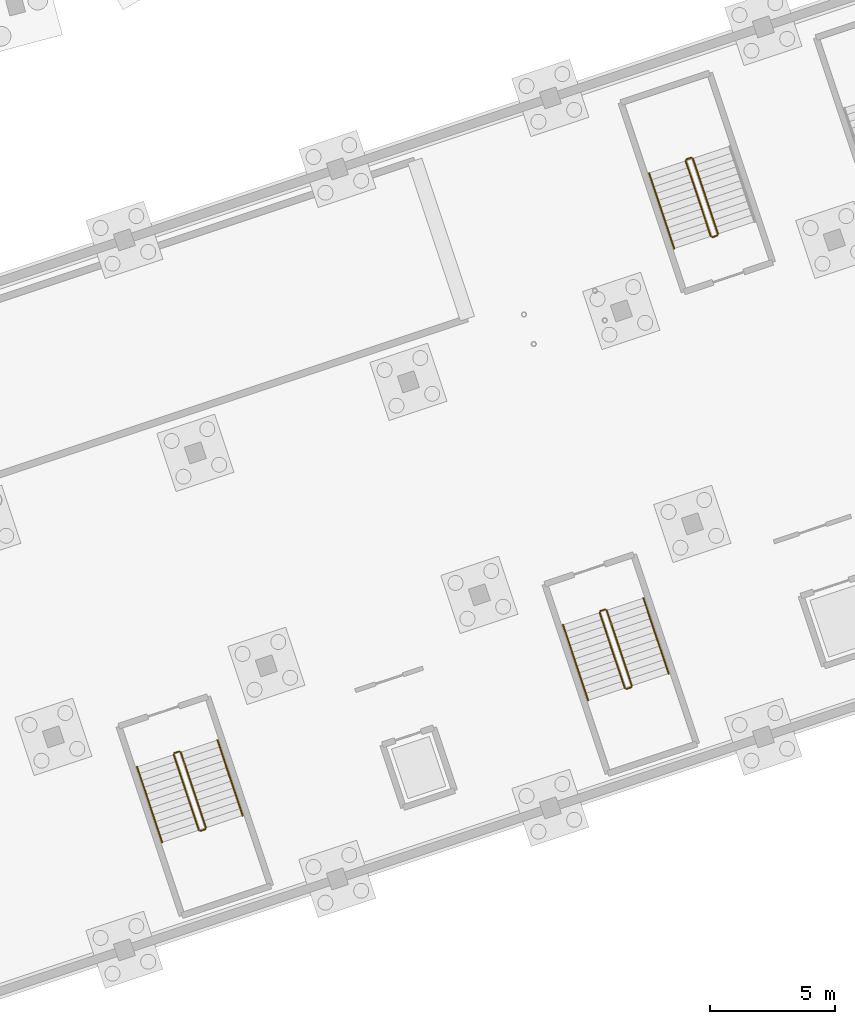
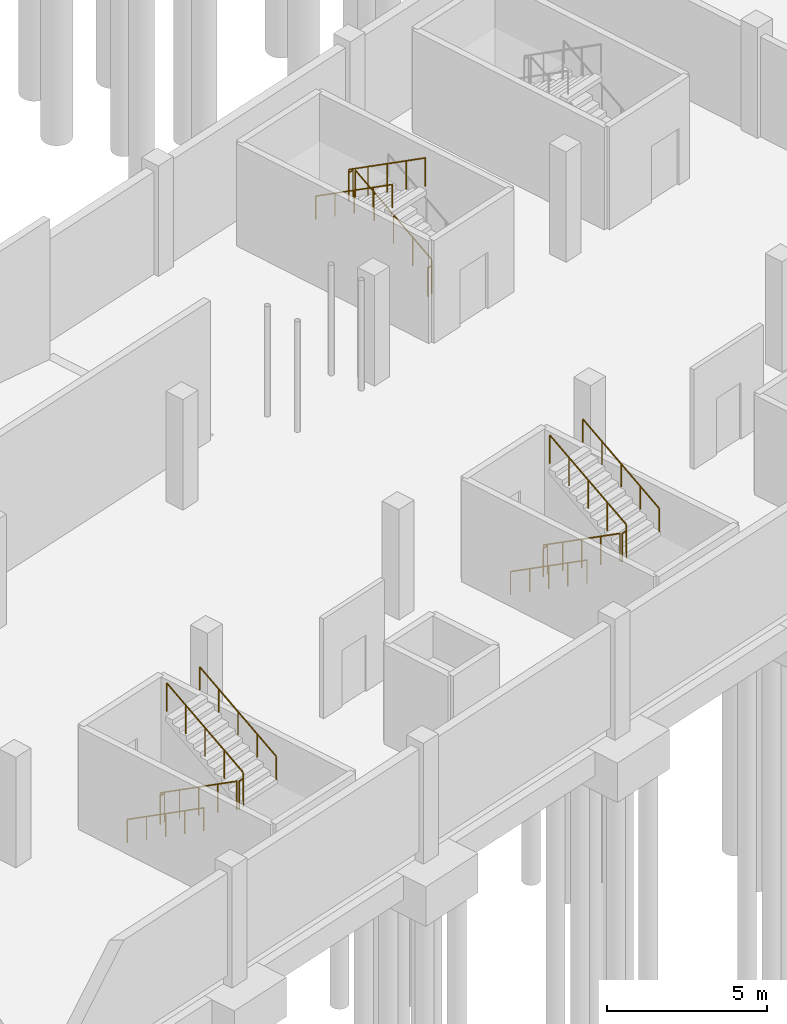
# One storey, part 29 of 36: 17 railings.
"""IFC4 building model written with IfcOpenShell, lengths in metres."""

from ifc_helpers import new_model, si_unit, derived_unit, direction, frame, origin, origin_2d, place, context, subcontext, project, spatial, circle, extrude, material, type_object, element, save


model = new_model("IFC4")

# Units and contexts
model_context = context("Model", 3, precision=1e-05, world=origin(), true_north=direction((0.0, 1.0)))
body_context = subcontext(model_context, "Body", "Model", "MODEL_VIEW")
ifc_project = project(units=[si_unit("LENGTHUNIT", "METRE"), si_unit("AREAUNIT", "SQUARE_METRE"), si_unit("VOLUMEUNIT", "CUBIC_METRE"), si_unit("PLANEANGLEUNIT", "RADIAN"), si_unit("MASSUNIT", "GRAM", prefix="KILO"), si_unit("THERMODYNAMICTEMPERATUREUNIT", "KELVIN"), si_unit("TIMEUNIT", "SECOND"), derived_unit("THERMALTRANSMITTANCEUNIT", [(si_unit("MASSUNIT", "GRAM", prefix="KILO"), 1), (si_unit("THERMODYNAMICTEMPERATUREUNIT", "KELVIN"), -1), (si_unit("TIMEUNIT", "SECOND"), -3)])], contexts=[model_context])

# Site, building, storey
site_placement = place(None, origin())
site = spatial("IfcSite", under=ifc_project, at=site_placement, CompositionType="ELEMENT")
building_placement = place(site_placement, origin())
building = spatial("IfcBuilding", under=site, at=building_placement, Name="Cambertide Market Hall", CompositionType="ELEMENT")
storey_placement = place(building_placement, frame((0.0, 0.0, -4.199951171875)))
storey = spatial("IfcBuildingStorey", under=building, at=storey_placement, Name="B1", CompositionType="ELEMENT", Elevation=-4.199951171875)

# Railings
ifc_material_1 = material(Name="Stainless Steel Grade 316", Category="metal")
railing_type_1 = type_object("IfcRailingType", Name="Stair Wall Handrail 900", PredefinedType="HANDRAIL", material=ifc_material_1)
railing_1_placement = place(storey_placement, frame((115.044189453125, 22.1826171875, 0.175048828125)))
element("IfcRailing", 1, at=railing_1_placement, inside=storey, type_object=railing_type_1, Name="Basement 1 ST-05A stair handrail 1", PredefinedType="HANDRAIL", context=body_context, shape_type="SweptSolid", body=[
    extrude(circle(Radius=0.02392578125, at=origin_2d()), frame((0.0, 0.0, 0.8759765625), z_axis=(0.270759255375, -0.812277766124, 0.516618095202), x_axis=(0.948683298051, 0.316227766017, 0.0)), (0.0, 0.0, 1.0), 3.725830078125),
    extrude(circle(Radius=0.02099609375, at=origin_2d()), origin(), (0.0, 0.0, 1.0), 0.851806640625),
    extrude(circle(Radius=0.02099609375, at=origin_2d()), frame((0.252197265625, -0.756591796875, 0.481201171875)), (0.0, 0.0, 1.0), 0.851806640625),
    extrude(circle(Radius=0.02099609375, at=origin_2d()), frame((0.50439453125, -1.51318359375, 0.96240234375)), (0.0, 0.0, 1.0), 0.851806640625),
    extrude(circle(Radius=0.02099609375, at=origin_2d()), frame((0.756591796875, -2.269775390625, 1.443603515625)), (0.0, 0.0, 1.0), 0.851806640625),
    extrude(circle(Radius=0.02099609375, at=origin_2d()), frame((1.0087890625, -3.0263671875, 1.9248046875)), (0.0, 0.0, 1.0), 0.851806640625),
])
railing_2_placement = place(storey_placement, frame((119.2783203125, 20.2314453125, 2.27490234375)))
element("IfcRailing", 2, at=railing_2_placement, inside=storey, type_object=railing_type_1, Name="Basement 1 ST-05A stair handrail 2", PredefinedType="HANDRAIL", context=body_context, shape_type="SweptSolid", body=[
    extrude(circle(Radius=0.02392578125, at=origin_2d()), frame((0.0, 0.0, 0.8759765625), z_axis=(-0.270750089342, 0.812250268025, 0.516666131283), x_axis=(-0.948683298051, -0.316227766017, 0.0)), (0.0, 0.0, 1.0), 3.725830078125),
    extrude(circle(Radius=0.02099609375, at=origin_2d()), origin(), (0.0, 0.0, 1.0), 0.851806640625),
    extrude(circle(Radius=0.02099609375, at=origin_2d()), frame((-0.252197265625, 0.756591796875, 0.481201171875)), (0.0, 0.0, 1.0), 0.851806640625),
    extrude(circle(Radius=0.02099609375, at=origin_2d()), frame((-0.50439453125, 1.51318359375, 0.96240234375)), (0.0, 0.0, 1.0), 0.851806640625),
    extrude(circle(Radius=0.02099609375, at=origin_2d()), frame((-0.756591796875, 2.269775390625, 1.44384765625)), (0.0, 0.0, 1.0), 0.851806640625),
    extrude(circle(Radius=0.02099609375, at=origin_2d()), frame((-1.0087890625, 3.0263671875, 1.925048828125)), (0.0, 0.0, 1.0), 0.851806640625),
])
railing_3_placement = place(storey_placement, frame((132.120361328125, 27.874755859375, 0.175048828125)))
element("IfcRailing", 3, at=railing_3_placement, inside=storey, type_object=railing_type_1, Name="Basement 1 ST-06A stair handrail 1", PredefinedType="HANDRAIL", context=body_context, shape_type="SweptSolid", body=[
    extrude(circle(Radius=0.02392578125, at=origin_2d()), frame((0.0, 0.0, 0.8759765625), z_axis=(0.270759255375, -0.812277766124, 0.516618095202), x_axis=(0.948683298051, 0.316227766017, 0.0)), (0.0, 0.0, 1.0), 3.725830078125),
    extrude(circle(Radius=0.02099609375, at=origin_2d()), origin(), (0.0, 0.0, 1.0), 0.851806640625),
    extrude(circle(Radius=0.02099609375, at=origin_2d()), frame((0.252197265625, -0.756591796875, 0.481201171875)), (0.0, 0.0, 1.0), 0.851806640625),
    extrude(circle(Radius=0.02099609375, at=origin_2d()), frame((0.50439453125, -1.51318359375, 0.96240234375)), (0.0, 0.0, 1.0), 0.851806640625),
    extrude(circle(Radius=0.02099609375, at=origin_2d()), frame((0.756591796875, -2.269775390625, 1.443603515625)), (0.0, 0.0, 1.0), 0.851806640625),
    extrude(circle(Radius=0.02099609375, at=origin_2d()), frame((1.0087890625, -3.0263671875, 1.9248046875)), (0.0, 0.0, 1.0), 0.851806640625),
])
railing_4_placement = place(storey_placement, frame((136.354736328125, 25.923583984375, 2.27490234375)))
element("IfcRailing", 4, at=railing_4_placement, inside=storey, type_object=railing_type_1, Name="Basement 1 ST-06A stair handrail 2", PredefinedType="HANDRAIL", context=body_context, shape_type="SweptSolid", body=[
    extrude(circle(Radius=0.02392578125, at=origin_2d()), frame((0.0, 0.0, 0.8759765625), z_axis=(-0.270764500003, 0.812227971332, 0.516693630815), x_axis=(-0.948675644076, -0.316250727013, 0.0)), (0.0, 0.0, 1.0), 3.7255859375),
    extrude(circle(Radius=0.02099609375, at=origin_2d()), origin(), (0.0, 0.0, 1.0), 0.851806640625),
    extrude(circle(Radius=0.02099609375, at=origin_2d()), frame((-0.252197265625, 0.756591796875, 0.481201171875)), (0.0, 0.0, 1.0), 0.851806640625),
    extrude(circle(Radius=0.02099609375, at=origin_2d()), frame((-0.50439453125, 1.51318359375, 0.96240234375)), (0.0, 0.0, 1.0), 0.851806640625),
    extrude(circle(Radius=0.02099609375, at=origin_2d()), frame((-0.756591796875, 2.26953125, 1.44384765625)), (0.0, 0.0, 1.0), 0.851806640625),
    extrude(circle(Radius=0.02099609375, at=origin_2d()), frame((-1.0087890625, 3.026123046875, 1.925048828125)), (0.0, 0.0, 1.0), 0.851806640625),
])
railing_5_placement = place(storey_placement, frame((135.570556640625, 45.985107421875, 2.27490234375)))
element("IfcRailing", 5, at=railing_5_placement, inside=storey, type_object=railing_type_1, Name="Basement 1 ST-06B stair handrail 2", PredefinedType="HANDRAIL", context=body_context, shape_type="SweptSolid", body=[
    extrude(circle(Radius=0.02392578125, at=origin_2d()), frame((0.0, 0.0, 0.8759765625), z_axis=(0.270750089342, -0.812250268025, 0.516666131283), x_axis=(0.948683298051, 0.316227766017, 0.0)), (0.0, 0.0, 1.0), 3.725830078125),
    extrude(circle(Radius=0.02099609375, at=origin_2d()), origin(), (0.0, 0.0, 1.0), 0.851806640625),
    extrude(circle(Radius=0.02099609375, at=origin_2d()), frame((0.252197265625, -0.756591796875, 0.481201171875)), (0.0, 0.0, 1.0), 0.851806640625),
    extrude(circle(Radius=0.02099609375, at=origin_2d()), frame((0.50439453125, -1.51318359375, 0.96240234375)), (0.0, 0.0, 1.0), 0.851806640625),
    extrude(circle(Radius=0.02099609375, at=origin_2d()), frame((0.756591796875, -2.269775390625, 1.44384765625)), (0.0, 0.0, 1.0), 0.851806640625),
    extrude(circle(Radius=0.02099609375, at=origin_2d()), frame((1.0087890625, -3.0263671875, 1.925048828125)), (0.0, 0.0, 1.0), 0.851806640625),
])
ifc_material_2 = material(Name="Stainless Steel Grade 316", Category="metal")
railing_type_2 = type_object("IfcRailingType", Name="Stairwell Inner Guardrail 1100", PredefinedType="GUARDRAIL", material=ifc_material_2)
railing_6_placement = place(storey_placement, frame((116.5146484375, 22.672607421875, 0.175048828125)))
element("IfcRailing", 6, at=railing_6_placement, inside=storey, type_object=railing_type_2, Name="Basement 1 ST-05A stair guard 1", PredefinedType="GUARDRAIL", context=body_context, shape_type="SweptSolid", body=[
    extrude(circle(Radius=0.02392578125, at=origin_2d()), frame((0.0, 0.0, 1.076171875), z_axis=(0.2707736675, -0.812255471603, 0.516645594039), x_axis=(0.948675644076, 0.316250727013, 0.0)), (0.0, 0.0, 1.0), 3.7255859375),
    extrude(circle(Radius=0.02099609375, at=origin_2d()), origin(), (0.0, 0.0, 1.0), 1.052001953125),
    extrude(circle(Radius=0.02099609375, at=origin_2d()), frame((0.252197265625, -0.756591796875, 0.481201171875)), (0.0, 0.0, 1.0), 1.052001953125),
    extrude(circle(Radius=0.02099609375, at=origin_2d()), frame((0.50439453125, -1.51318359375, 0.96240234375)), (0.0, 0.0, 1.0), 1.052001953125),
    extrude(circle(Radius=0.02099609375, at=origin_2d()), frame((0.756591796875, -2.26953125, 1.443603515625)), (0.0, 0.0, 1.0), 1.052001953125),
    extrude(circle(Radius=0.02099609375, at=origin_2d()), frame((1.0087890625, -3.026123046875, 1.9248046875)), (0.0, 0.0, 1.0), 1.052001953125),
])
railing_7_placement = place(storey_placement, frame((117.586669921875, 19.61474609375, 2.099853515625)))
element("IfcRailing", 7, at=railing_7_placement, inside=storey, type_object=railing_type_2, Name="Basement 1 ST-05A stair guard 2", PredefinedType="GUARDRAIL", context=body_context, shape_type="SweptSolid", body=[
    extrude(circle(Radius=0.02392578125, at=origin_2d()), frame((0.0, 0.0, 1.076171875), z_axis=(0.948683298051, 0.316227766017, 0.0), x_axis=(-0.316227766017, 0.948683298051, 0.0)), (0.0, 0.0, 1.0), 0.199951171875),
    extrude(circle(Radius=0.02099609375, at=origin_2d()), origin(), (0.0, 0.0, 1.0), 1.052001953125),
    extrude(circle(Radius=0.02099609375, at=origin_2d()), frame((0.189697265625, 0.063232421875, 0.0)), (0.0, 0.0, 1.0), 1.052001953125),
])
railing_8_placement = place(storey_placement, frame((117.807861328125, 19.7412109375, 2.27490234375)))
element("IfcRailing", 8, at=railing_8_placement, inside=storey, type_object=railing_type_2, Name="Basement 1 ST-05A stair guard 3", PredefinedType="GUARDRAIL", context=body_context, shape_type="SweptSolid", body=[
    extrude(circle(Radius=0.02392578125, at=origin_2d()), frame((0.0, 0.0, 1.076171875), z_axis=(-0.270750089342, 0.812250268025, 0.516666131283), x_axis=(-0.948683298051, -0.316227766017, 0.0)), (0.0, 0.0, 1.0), 3.725830078125),
    extrude(circle(Radius=0.02099609375, at=origin_2d()), origin(), (0.0, 0.0, 1.0), 1.052001953125),
    extrude(circle(Radius=0.02099609375, at=origin_2d()), frame((-0.252197265625, 0.756591796875, 0.481201171875)), (0.0, 0.0, 1.0), 1.052001953125),
    extrude(circle(Radius=0.02099609375, at=origin_2d()), frame((-0.50439453125, 1.51318359375, 0.96240234375)), (0.0, 0.0, 1.0), 1.052001953125),
    extrude(circle(Radius=0.02099609375, at=origin_2d()), frame((-0.756591796875, 2.269775390625, 1.44384765625)), (0.0, 0.0, 1.0), 1.052001953125),
    extrude(circle(Radius=0.02099609375, at=origin_2d()), frame((-1.0087890625, 3.0263671875, 1.925048828125)), (0.0, 0.0, 1.0), 1.052001953125),
])
railing_9_placement = place(storey_placement, frame((116.546142578125, 22.73583984375, 0.0)))
element("IfcRailing", 9, at=railing_9_placement, inside=storey, type_object=railing_type_2, Name="Basement 1 ST-05A stair guard 4", PredefinedType="GUARDRAIL", context=body_context, shape_type="SweptSolid", body=[
    extrude(circle(Radius=0.02392578125, at=origin_2d()), frame((0.0, 0.0, 1.076171875), z_axis=(0.948683298051, 0.316227766017, 0.0), x_axis=(-0.316227766017, 0.948683298051, 0.0)), (0.0, 0.0, 1.0), 0.199951171875),
    extrude(circle(Radius=0.02099609375, at=origin_2d()), origin(), (0.0, 0.0, 1.0), 1.052001953125),
    extrude(circle(Radius=0.02099609375, at=origin_2d()), frame((0.189697265625, 0.063232421875, 0.0)), (0.0, 0.0, 1.0), 1.052001953125),
])
railing_10_placement = place(storey_placement, frame((133.5908203125, 28.36474609375, 0.175048828125)))
element("IfcRailing", 10, at=railing_10_placement, inside=storey, type_object=railing_type_2, Name="Basement 1 ST-06A stair guard 1", PredefinedType="GUARDRAIL", context=body_context, shape_type="SweptSolid", body=[
    extrude(circle(Radius=0.02392578125, at=origin_2d()), frame((0.0, 0.0, 1.076171875), z_axis=(0.270759255375, -0.812277766124, 0.516618095202), x_axis=(0.948683298051, 0.316227766017, 0.0)), (0.0, 0.0, 1.0), 3.725830078125),
    extrude(circle(Radius=0.02099609375, at=origin_2d()), origin(), (0.0, 0.0, 1.0), 1.052001953125),
    extrude(circle(Radius=0.02099609375, at=origin_2d()), frame((0.252197265625, -0.756591796875, 0.481201171875)), (0.0, 0.0, 1.0), 1.052001953125),
    extrude(circle(Radius=0.02099609375, at=origin_2d()), frame((0.50439453125, -1.51318359375, 0.96240234375)), (0.0, 0.0, 1.0), 1.052001953125),
    extrude(circle(Radius=0.02099609375, at=origin_2d()), frame((0.756591796875, -2.269775390625, 1.443603515625)), (0.0, 0.0, 1.0), 1.052001953125),
    extrude(circle(Radius=0.02099609375, at=origin_2d()), frame((1.0087890625, -3.0263671875, 1.9248046875)), (0.0, 0.0, 1.0), 1.052001953125),
])
railing_11_placement = place(storey_placement, frame((134.662841796875, 25.306884765625, 2.099853515625)))
element("IfcRailing", 11, at=railing_11_placement, inside=storey, type_object=railing_type_2, Name="Basement 1 ST-06A stair guard 2", PredefinedType="GUARDRAIL", context=body_context, shape_type="SweptSolid", body=[
    extrude(circle(Radius=0.02392578125, at=origin_2d()), frame((0.0, 0.0, 1.076171875), z_axis=(0.948683298051, 0.316227766017, 0.0), x_axis=(-0.316227766017, 0.948683298051, 0.0)), (0.0, 0.0, 1.0), 0.199951171875),
    extrude(circle(Radius=0.02099609375, at=origin_2d()), origin(), (0.0, 0.0, 1.0), 1.052001953125),
    extrude(circle(Radius=0.02099609375, at=origin_2d()), frame((0.189697265625, 0.063232421875, 0.0)), (0.0, 0.0, 1.0), 1.052001953125),
])
railing_12_placement = place(storey_placement, frame((134.88427734375, 25.433349609375, 2.27490234375)))
element("IfcRailing", 12, at=railing_12_placement, inside=storey, type_object=railing_type_2, Name="Basement 1 ST-06A stair guard 3", PredefinedType="GUARDRAIL", context=body_context, shape_type="SweptSolid", body=[
    extrude(circle(Radius=0.02392578125, at=origin_2d()), frame((0.0, 0.0, 1.076171875), z_axis=(-0.270750089342, 0.812250268025, 0.516666131283), x_axis=(-0.948683298051, -0.316227766017, 0.0)), (0.0, 0.0, 1.0), 3.725830078125),
    extrude(circle(Radius=0.02099609375, at=origin_2d()), origin(), (0.0, 0.0, 1.0), 1.052001953125),
    extrude(circle(Radius=0.02099609375, at=origin_2d()), frame((-0.252197265625, 0.756591796875, 0.481201171875)), (0.0, 0.0, 1.0), 1.052001953125),
    extrude(circle(Radius=0.02099609375, at=origin_2d()), frame((-0.50439453125, 1.51318359375, 0.96240234375)), (0.0, 0.0, 1.0), 1.052001953125),
    extrude(circle(Radius=0.02099609375, at=origin_2d()), frame((-0.756591796875, 2.269775390625, 1.44384765625)), (0.0, 0.0, 1.0), 1.052001953125),
    extrude(circle(Radius=0.02099609375, at=origin_2d()), frame((-1.0087890625, 3.0263671875, 1.925048828125)), (0.0, 0.0, 1.0), 1.052001953125),
])
railing_13_placement = place(storey_placement, frame((133.62255859375, 28.427978515625, 0.0)))
element("IfcRailing", 13, at=railing_13_placement, inside=storey, type_object=railing_type_2, Name="Basement 1 ST-06A stair guard 4", PredefinedType="GUARDRAIL", context=body_context, shape_type="SweptSolid", body=[
    extrude(circle(Radius=0.02392578125, at=origin_2d()), frame((0.0, 0.0, 1.076171875), z_axis=(0.948683298051, 0.316227766017, 0.0), x_axis=(-0.316227766017, 0.948683298051, 0.0)), (0.0, 0.0, 1.0), 0.199951171875),
    extrude(circle(Radius=0.02099609375, at=origin_2d()), origin(), (0.0, 0.0, 1.0), 1.052001953125),
    extrude(circle(Radius=0.02099609375, at=origin_2d()), frame((0.189697265625, 0.063232421875, 0.0)), (0.0, 0.0, 1.0), 1.052001953125),
])
railing_14_placement = place(storey_placement, frame((138.334228515625, 43.543701171875, 0.175048828125)))
element("IfcRailing", 14, at=railing_14_placement, inside=storey, type_object=railing_type_2, Name="Basement 1 ST-06B stair guard 1", PredefinedType="GUARDRAIL", context=body_context, shape_type="SweptSolid", body=[
    extrude(circle(Radius=0.02392578125, at=origin_2d()), frame((0.0, 0.0, 1.076171875), z_axis=(-0.270759255375, 0.812277766124, 0.516618095202), x_axis=(-0.948683298051, -0.316227766017, 0.0)), (0.0, 0.0, 1.0), 3.725830078125),
    extrude(circle(Radius=0.02099609375, at=origin_2d()), origin(), (0.0, 0.0, 1.0), 1.052001953125),
    extrude(circle(Radius=0.02099609375, at=origin_2d()), frame((-0.252197265625, 0.756591796875, 0.481201171875)), (0.0, 0.0, 1.0), 1.052001953125),
    extrude(circle(Radius=0.02099609375, at=origin_2d()), frame((-0.50439453125, 1.51318359375, 0.96240234375)), (0.0, 0.0, 1.0), 1.052001953125),
    extrude(circle(Radius=0.02099609375, at=origin_2d()), frame((-0.756591796875, 2.269775390625, 1.443603515625)), (0.0, 0.0, 1.0), 1.052001953125),
    extrude(circle(Radius=0.02099609375, at=origin_2d()), frame((-1.0087890625, 3.0263671875, 1.9248046875)), (0.0, 0.0, 1.0), 1.052001953125),
])
railing_15_placement = place(storey_placement, frame((137.26220703125, 46.6015625, 2.099853515625)))
element("IfcRailing", 15, at=railing_15_placement, inside=storey, type_object=railing_type_2, Name="Basement 1 ST-06B stair guard 2", PredefinedType="GUARDRAIL", context=body_context, shape_type="SweptSolid", body=[
    extrude(circle(Radius=0.02392578125, at=origin_2d()), frame((0.0, 0.0, 1.076171875), z_axis=(-0.948683298051, -0.316227766017, 0.0), x_axis=(0.316227766017, -0.948683298051, 0.0)), (0.0, 0.0, 1.0), 0.199951171875),
    extrude(circle(Radius=0.02099609375, at=origin_2d()), origin(), (0.0, 0.0, 1.0), 1.052001953125),
    extrude(circle(Radius=0.02099609375, at=origin_2d()), frame((-0.189697265625, -0.063232421875, 0.0)), (0.0, 0.0, 1.0), 1.052001953125),
])
railing_16_placement = place(storey_placement, frame((137.041015625, 46.47509765625, 2.27490234375)))
element("IfcRailing", 16, at=railing_16_placement, inside=storey, type_object=railing_type_2, Name="Basement 1 ST-06B stair guard 3", PredefinedType="GUARDRAIL", context=body_context, shape_type="SweptSolid", body=[
    extrude(circle(Radius=0.02392578125, at=origin_2d()), frame((0.0, 0.0, 1.076171875), z_axis=(0.270750089342, -0.812250268025, 0.516666131283), x_axis=(0.948683298051, 0.316227766017, 0.0)), (0.0, 0.0, 1.0), 3.725830078125),
    extrude(circle(Radius=0.02099609375, at=origin_2d()), origin(), (0.0, 0.0, 1.0), 1.052001953125),
    extrude(circle(Radius=0.02099609375, at=origin_2d()), frame((0.252197265625, -0.756591796875, 0.481201171875)), (0.0, 0.0, 1.0), 1.052001953125),
    extrude(circle(Radius=0.02099609375, at=origin_2d()), frame((0.50439453125, -1.51318359375, 0.96240234375)), (0.0, 0.0, 1.0), 1.052001953125),
    extrude(circle(Radius=0.02099609375, at=origin_2d()), frame((0.756591796875, -2.269775390625, 1.44384765625)), (0.0, 0.0, 1.0), 1.052001953125),
    extrude(circle(Radius=0.02099609375, at=origin_2d()), frame((1.0087890625, -3.0263671875, 1.925048828125)), (0.0, 0.0, 1.0), 1.052001953125),
])
railing_17_placement = place(storey_placement, frame((138.302734375, 43.48046875, 0.0)))
element("IfcRailing", 17, at=railing_17_placement, inside=storey, type_object=railing_type_2, Name="Basement 1 ST-06B stair guard 4", PredefinedType="GUARDRAIL", context=body_context, shape_type="SweptSolid", body=[
    extrude(circle(Radius=0.02392578125, at=origin_2d()), frame((0.0, 0.0, 1.076171875), z_axis=(-0.948683298051, -0.316227766017, 0.0), x_axis=(0.316227766017, -0.948683298051, 0.0)), (0.0, 0.0, 1.0), 0.199951171875),
    extrude(circle(Radius=0.02099609375, at=origin_2d()), origin(), (0.0, 0.0, 1.0), 1.052001953125),
    extrude(circle(Radius=0.02099609375, at=origin_2d()), frame((-0.189697265625, -0.063232421875, 0.0)), (0.0, 0.0, 1.0), 1.052001953125),
])

save(model, "model.ifc")
